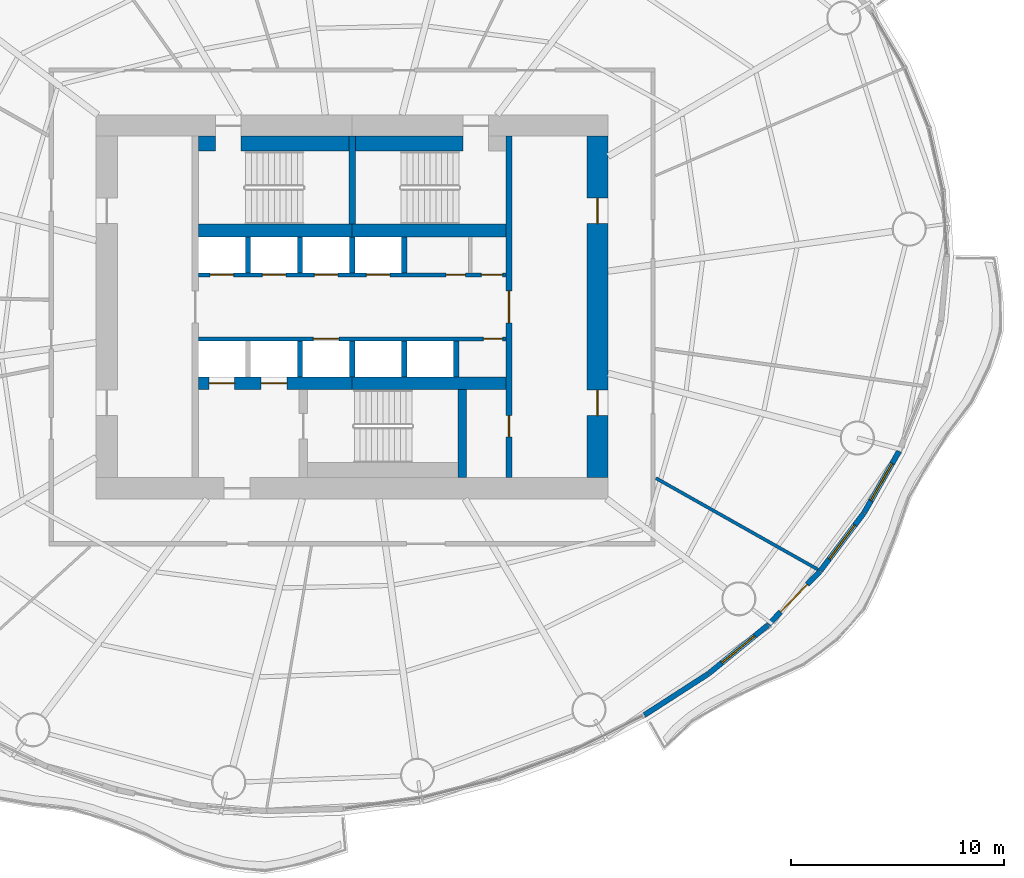
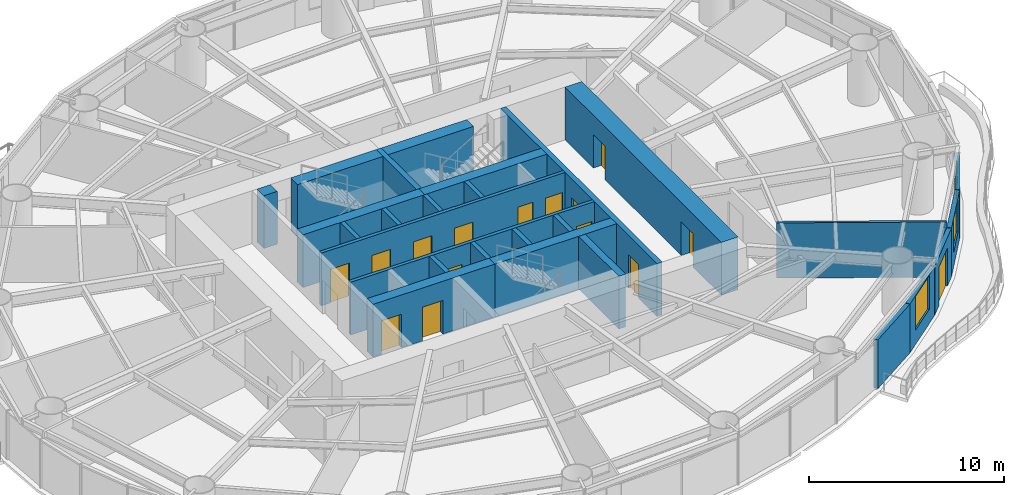
# One storey, part 9 of 16: 27 walls, 15 doors, 3 windows, 18 openings.
"""IFC4 building model written with IfcOpenShell, lengths in metres."""

from ifc_helpers import new_model, si_unit, direction, frame, frame_2d, origin, place, context, subcontext, project, spatial, rectangle, extrude, material, layer, layer_set, type_object, element, fill, save


model = new_model("IFC4")

# Units and contexts
model_context = context("Model", 3, precision=1e-05, world=origin(), true_north=direction((0.0, 1.0)))
body_context = subcontext(model_context, "Body", "Model", "MODEL_VIEW")
ifc_project = project(units=[si_unit("LENGTHUNIT", "METRE"), si_unit("AREAUNIT", "SQUARE_METRE"), si_unit("VOLUMEUNIT", "CUBIC_METRE"), si_unit("PLANEANGLEUNIT", "RADIAN"), si_unit("MASSUNIT", "GRAM", prefix="KILO")], contexts=[model_context])

# Site, building, storey
site_placement = place(None, origin())
site = spatial("IfcSite", under=ifc_project, at=site_placement, CompositionType="ELEMENT")
building_placement = place(site_placement, origin())
building = spatial("IfcBuilding", under=site, at=building_placement, Name="Vermilion Reach Broadcast Tower", CompositionType="ELEMENT")
storey_placement = place(building_placement, frame((0.0, 0.0, 103.0)))
storey = spatial("IfcBuildingStorey", under=building, at=storey_placement, Name="L23", CompositionType="ELEMENT", Elevation=103.0)

# Wall, openings, doors
ifc_material_1 = material(Name="Concrete C70", Category="concrete")
ifc_layer_1 = layer(ifc_material_1, 0.300048828125)
ifc_layer_set_1 = layer_set([ifc_layer_1], Name="Core inner wall 300 mm Concrete C70")
wall_type_1 = type_object("IfcWallType", Name="Core inner wall 300 mm Concrete C70", PredefinedType="SHEAR", material=ifc_layer_set_1)
wall_1_placement = place(storey_placement, frame((1.35009765625, -8.0, 0.0), z_axis=(0.0, 0.0, 1.0), x_axis=(0.0, 1.0, 0.0)))
wall_1 = element("IfcWall", 1, at=wall_1_placement, inside=storey, type_object=wall_type_1, Name="L23 core wall ewE", PredefinedType="SHEAR", context=body_context, shape_type="SweptSolid", body=[
    extrude(rectangle(XDim=16.0, YDim=0.300048828125, at=frame_2d((8.0, 0.0))), origin(), (0.0, 0.0, 1.0), 3.300048828125),
])
opening_1_placement = place(wall_1_placement, frame((1.909912109375, 0.0, 0.0)))
opening_1 = element("IfcOpeningElement", 2, at=opening_1_placement, cuts=wall_1, Name="Opening D05", PredefinedType="OPENING", context=body_context, shape_type="SweptSolid", body=[
    extrude(rectangle(XDim=1.0, YDim=2.10009765625, at=frame_2d((0.5, 1.050048828125))), frame((0.0, 0.159912109375, 0.0), z_axis=(0.0, -1.0, 0.0), x_axis=(1.0, 0.0, 0.0)), (0.0, 0.0, 1.0), 0.320068359375),
])
opening_2_placement = place(wall_1_placement, frame((7.25, 0.0, 0.0)))
opening_2 = element("IfcOpeningElement", 3, at=opening_2_placement, cuts=wall_1, Name="Opening D04", PredefinedType="OPENING", context=body_context, shape_type="SweptSolid", body=[
    extrude(rectangle(XDim=1.5, YDim=2.10009765625, at=frame_2d((0.75, 1.050048828125))), frame((0.0, 0.159912109375, 0.0), z_axis=(0.0, -1.0, 0.0), x_axis=(1.0, 0.0, 0.0)), (0.0, 0.0, 1.0), 0.320068359375),
])
ifc_material_2 = material(Name="Painted steel fire door", Category="steel")
door_type_1 = type_object("IfcDoorType", Name="Lift lobby door 1500 x 2100", OperationType="DOUBLE_DOOR_SINGLE_SWING", PredefinedType="NOTDEFINED", material=ifc_material_2)
door_1_placement = place(opening_2_placement, origin())
door_1 = element("IfcDoor", 4, at=door_1_placement, inside=storey, type_object=door_type_1, Name="L23 band door BE", OperationType="DOUBLE_DOOR_SINGLE_SWING", OverallHeight=2.10009765625, OverallWidth=1.5, PredefinedType="NOTDEFINED", context=body_context, shape_type="SweptSolid", body=[
    extrude(rectangle(XDim=1.5, YDim=2.10009765625, at=frame_2d((0.75, 1.050048828125))), frame((0.0, 0.02490234375, 0.0), z_axis=(0.0, -1.0, 0.0), x_axis=(1.0, 0.0, 0.0)), (0.0, 0.0, 1.0), 0.050048828125),
])
fill(opening_2, door_1)
ifc_material_3 = material(Name="Timber door", Category="wood")
door_type_2 = type_object("IfcDoorType", Name="Room door 1000 x 2100", OperationType="NOTDEFINED", PredefinedType="NOTDEFINED", material=ifc_material_3)
door_2_placement = place(opening_1_placement, origin())
door_2 = element("IfcDoor", 5, at=door_2_placement, inside=storey, type_object=door_type_2, Name="L23 door SER", OperationType="SINGLE_SWING_LEFT", OverallHeight=2.10009765625, OverallWidth=1.0, PredefinedType="NOTDEFINED", context=body_context, shape_type="SweptSolid", body=[
    extrude(rectangle(XDim=1.0, YDim=2.10009765625, at=frame_2d((0.5, 1.050048828125))), frame((0.0, 0.02490234375, 0.0), z_axis=(0.0, -1.0, 0.0), x_axis=(1.0, 0.0, 0.0)), (0.0, 0.0, 1.0), 0.050048828125),
])
fill(opening_1, door_2)

# Walls
wall_2_placement = place(storey_placement, frame((-6.0, 3.8798828125, 0.0), z_axis=(0.0, 0.0, 1.0), x_axis=(0.0, 1.0, 0.0)))
element("IfcWall", 6, at=wall_2_placement, inside=storey, type_object=wall_type_1, Name="L23 core wall wc", PredefinedType="SHEAR", context=body_context, shape_type="SweptSolid", body=[
    extrude(rectangle(XDim=4.1201171875, YDim=0.300048828125, at=frame_2d((2.06005859375, 0.0))), origin(), (0.0, 0.0, 1.0), 3.300048828125),
])
ifc_material_4 = material(Name="Concrete C70", Category="concrete")
ifc_layer_2 = layer(ifc_material_4, 0.39990234375)
ifc_layer_set_2 = layer_set([ifc_layer_2], Name="Core inner wall 400 mm Concrete C70")
wall_type_2 = type_object("IfcWallType", Name="Core inner wall 400 mm Concrete C70", PredefinedType="SHEAR", material=ifc_layer_set_2)
wall_3_placement = place(storey_placement, frame((-0.85009765625, -3.8798828125, 0.0), z_axis=(0.0, 0.0, 1.0), x_axis=(0.0, -1.0, 0.0)))
element("IfcWall", 7, at=wall_3_placement, inside=storey, type_object=wall_type_2, Name="L23 core wall wb", PredefinedType="SHEAR", context=body_context, shape_type="SweptSolid", body=[
    extrude(rectangle(XDim=4.1201171875, YDim=0.39990234375, at=frame_2d((2.06005859375, 0.0))), origin(), (0.0, 0.0, 1.0), 3.300048828125),
])
ifc_material_5 = material(Name="Concrete C70", Category="concrete")
ifc_layer_3 = layer(ifc_material_5, 0.60009765625)
ifc_layer_set_3 = layer_set([ifc_layer_3], Name="Core inner wall 600 mm Concrete C70")
wall_type_3 = type_object("IfcWallType", Name="Core inner wall 600 mm Concrete C70", PredefinedType="SHEAR", material=ifc_layer_set_3)
for number, where, z_axis, x_axis, name in (
    (8, (-13.199951171875, 3.580078125, 0.0), (0.0, 0.0, 1.0), (1.0, 0.0, 0.0), "L23 core wall winW"),
    (9, (-6.0, 3.580078125, 0.0), (0.0, 0.0, 1.0), (1.0, 0.0, 0.0), "L23 core wall winE"),
):
    element("IfcWall", number, at=place(storey_placement, frame(where, z_axis=z_axis, x_axis=x_axis)), inside=storey, type_object=wall_type_3, Name=name, PredefinedType="SHEAR", context=body_context, shape_type="SweptSolid", body=[
        extrude(rectangle(XDim=7.199951171875, YDim=0.60009765625, at=frame_2d((3.60009765625, 0.0))), origin(), (0.0, 0.0, 1.0), 3.300048828125),
    ])

# Wall, openings, doors
wall_4_placement = place(storey_placement, frame((-13.199951171875, -3.580078125, 0.0), z_axis=(0.0, 0.0, 1.0), x_axis=(1.0, 0.0, 0.0)))
wall_4 = element("IfcWall", 10, at=wall_4_placement, inside=storey, type_object=wall_type_3, Name="L23 core wall wisW", PredefinedType="SHEAR", context=body_context, shape_type="SweptSolid", body=[
    extrude(rectangle(XDim=7.199951171875, YDim=0.60009765625, at=frame_2d((3.60009765625, 0.0))), origin(), (0.0, 0.0, 1.0), 3.300048828125),
])
opening_3_placement = place(wall_4_placement, frame((0.495849609375, 0.0, 0.0)))
opening_3 = element("IfcOpeningElement", 11, at=opening_3_placement, cuts=wall_4, Name="Opening LD1", PredefinedType="OPENING", context=body_context, shape_type="SweptSolid", body=[
    extrude(rectangle(XDim=1.199951171875, YDim=2.10009765625, at=frame_2d((0.60009765625, 1.050048828125))), frame((0.0, 0.31005859375, 0.0), z_axis=(0.0, -1.0, 0.0), x_axis=(1.0, 0.0, 0.0)), (0.0, 0.0, 1.0), 0.6201171875),
])
opening_4_placement = place(wall_4_placement, frame((2.9375, 0.0, 0.0)))
opening_4 = element("IfcOpeningElement", 12, at=opening_4_placement, cuts=wall_4, Name="Opening LD1", PredefinedType="OPENING", context=body_context, shape_type="SweptSolid", body=[
    extrude(rectangle(XDim=1.199951171875, YDim=2.10009765625, at=frame_2d((0.60009765625, 1.050048828125))), frame((0.0, 0.31005859375, 0.0), z_axis=(0.0, -1.0, 0.0), x_axis=(1.0, 0.0, 0.0)), (0.0, 0.0, 1.0), 0.6201171875),
])
ifc_material_6 = material(Name="Stainless steel", Category="steel")
door_type_3 = type_object("IfcDoorType", Name="Landing door 1200 x 2100", OperationType="DOUBLE_DOOR_SLIDING", PredefinedType="NOTDEFINED", material=ifc_material_6)
door_3_placement = place(opening_3_placement, origin())
door_3 = element("IfcDoor", 13, at=door_3_placement, inside=storey, type_object=door_type_3, Name="L23 landing door FF1", OperationType="DOUBLE_DOOR_SLIDING", OverallHeight=2.10009765625, OverallWidth=1.199951171875, PredefinedType="NOTDEFINED", context=body_context, shape_type="SweptSolid", body=[
    extrude(rectangle(XDim=1.199951171875, YDim=2.10009765625, at=frame_2d((0.60009765625, 1.050048828125))), frame((0.0, 0.02490234375, 0.0), z_axis=(0.0, -1.0, 0.0), x_axis=(1.0, 0.0, 0.0)), (0.0, 0.0, 1.0), 0.050048828125),
])
fill(opening_3, door_3)
door_4_placement = place(opening_4_placement, origin())
door_4 = element("IfcDoor", 14, at=door_4_placement, inside=storey, type_object=door_type_3, Name="L23 landing door FF2", OperationType="DOUBLE_DOOR_SLIDING", OverallHeight=2.10009765625, OverallWidth=1.199951171875, PredefinedType="NOTDEFINED", context=body_context, shape_type="SweptSolid", body=[
    extrude(rectangle(XDim=1.199951171875, YDim=2.10009765625, at=frame_2d((0.60009765625, 1.050048828125))), frame((0.0, 0.02490234375, 0.0), z_axis=(0.0, -1.0, 0.0), x_axis=(1.0, 0.0, 0.0)), (0.0, 0.0, 1.0), 0.050048828125),
])
fill(opening_4, door_4)

# Wall
wall_5_placement = place(storey_placement, frame((-6.0, -3.580078125, 0.0), z_axis=(0.0, 0.0, 1.0), x_axis=(1.0, 0.0, 0.0)))
element("IfcWall", 15, at=wall_5_placement, inside=storey, type_object=wall_type_3, Name="L23 core wall wisE", PredefinedType="SHEAR", context=body_context, shape_type="SweptSolid", body=[
    extrude(rectangle(XDim=7.199951171875, YDim=0.60009765625, at=frame_2d((3.60009765625, 0.0))), origin(), (0.0, 0.0, 1.0), 3.300048828125),
])

# Wall, openings, doors
ifc_material_7 = material(Name="Concrete C70", Category="concrete")
ifc_layer_4 = layer(ifc_material_7, 1.0)
ifc_layer_set_4 = layer_set([ifc_layer_4], Name="Core outer wall 1000 mm Concrete C70")
wall_type_4 = type_object("IfcWallType", Name="Core outer wall 1000 mm Concrete C70", PredefinedType="SHEAR", material=ifc_layer_set_4)
wall_6_placement = place(storey_placement, frame((5.5, -8.0, 0.0), z_axis=(0.0, 0.0, 1.0), x_axis=(0.0, 1.0, 0.0)))
wall_6 = element("IfcWall", 16, at=wall_6_placement, inside=storey, type_object=wall_type_4, Name="L23 core wall oe", PredefinedType="SHEAR", context=body_context, shape_type="SweptSolid", body=[
    extrude(rectangle(XDim=16.0, YDim=1.0, at=frame_2d((8.0, 0.0))), origin(), (0.0, 0.0, 1.0), 3.300048828125),
])
opening_5_placement = place(wall_6_placement, frame((2.89990234375, 0.0, 0.0)))
opening_5 = element("IfcOpeningElement", 17, at=opening_5_placement, cuts=wall_6, Name="Opening D03", PredefinedType="OPENING", context=body_context, shape_type="SweptSolid", body=[
    extrude(rectangle(XDim=1.199951171875, YDim=2.10009765625, at=frame_2d((0.60009765625, 1.050048828125))), frame((0.0, 0.510009765625, 0.0), z_axis=(0.0, -1.0, 0.0), x_axis=(1.0, 0.0, 0.0)), (0.0, 0.0, 1.0), 1.02001953125),
])
opening_6_placement = place(wall_6_placement, frame((11.89990234375, 0.0, 0.0)))
opening_6 = element("IfcOpeningElement", 18, at=opening_6_placement, cuts=wall_6, Name="Opening D03", PredefinedType="OPENING", context=body_context, shape_type="SweptSolid", body=[
    extrude(rectangle(XDim=1.199951171875, YDim=2.10009765625, at=frame_2d((0.60009765625, 1.050048828125))), frame((0.0, 0.510009765625, 0.0), z_axis=(0.0, -1.0, 0.0), x_axis=(1.0, 0.0, 0.0)), (0.0, 0.0, 1.0), 1.02001953125),
])
ifc_material_8 = material(Name="Painted steel fire door", Category="steel")
door_type_4 = type_object("IfcDoorType", Name="Core lobby door 1200 x 2100", OperationType="DOUBLE_DOOR_SINGLE_SWING", PredefinedType="NOTDEFINED", material=ifc_material_8)
door_5_placement = place(opening_5_placement, origin())
door_5 = element("IfcDoor", 19, at=door_5_placement, inside=storey, type_object=door_type_4, Name="L23 slot door E0", OperationType="DOUBLE_DOOR_SINGLE_SWING", OverallHeight=2.10009765625, OverallWidth=1.199951171875, PredefinedType="NOTDEFINED", context=body_context, shape_type="SweptSolid", body=[
    extrude(rectangle(XDim=1.199951171875, YDim=2.10009765625, at=frame_2d((0.60009765625, 1.050048828125))), frame((0.0, 0.02490234375, 0.0), z_axis=(0.0, -1.0, 0.0), x_axis=(1.0, 0.0, 0.0)), (0.0, 0.0, 1.0), 0.050048828125),
])
fill(opening_5, door_5)
door_6_placement = place(opening_6_placement, origin())
door_6 = element("IfcDoor", 20, at=door_6_placement, inside=storey, type_object=door_type_4, Name="L23 slot door E1", OperationType="DOUBLE_DOOR_SINGLE_SWING", OverallHeight=2.10009765625, OverallWidth=1.199951171875, PredefinedType="NOTDEFINED", context=body_context, shape_type="SweptSolid", body=[
    extrude(rectangle(XDim=1.199951171875, YDim=2.10009765625, at=frame_2d((0.60009765625, 1.050048828125))), frame((0.0, 0.02490234375, 0.0), z_axis=(0.0, -1.0, 0.0), x_axis=(1.0, 0.0, 0.0)), (0.0, 0.0, 1.0), 0.050048828125),
])
fill(opening_6, door_6)

ifc_material_9 = material(Name="Concrete C50", Category="concrete")
ifc_layer_5 = layer(ifc_material_9, 0.199951171875)
ifc_layer_set_5 = layer_set([ifc_layer_5], Name="Core shaft wall 200 mm Concrete C50")
wall_type_5 = type_object("IfcWallType", Name="Core shaft wall 200 mm Concrete C50", PredefinedType="SHEAR", material=ifc_layer_set_5)
wall_7_placement = place(storey_placement, frame((-13.199951171875, 1.5, 0.0), z_axis=(0.0, 0.0, 1.0), x_axis=(1.0, 0.0, 0.0)))
wall_7 = element("IfcWall", 21, at=wall_7_placement, inside=storey, type_object=wall_type_5, Name="L23 core wall fn", PredefinedType="SHEAR", context=body_context, shape_type="SweptSolid", body=[
    extrude(rectangle(XDim=14.39990234375, YDim=0.199951171875, at=frame_2d((7.199951171875, 0.0))), origin(), (0.0, 0.0, 1.0), 3.300048828125),
])
opening_7_placement = place(wall_7_placement, frame((0.5458984375, 0.0, 0.0)))
opening_7 = element("IfcOpeningElement", 22, at=opening_7_placement, cuts=wall_7, Name="Opening LD2", PredefinedType="OPENING", context=body_context, shape_type="SweptSolid", body=[
    extrude(rectangle(XDim=1.10009765625, YDim=2.10009765625, at=frame_2d((0.550048828125, 1.050048828125))), frame((0.0, 0.10986328125, 0.0), z_axis=(0.0, -1.0, 0.0), x_axis=(1.0, 0.0, 0.0)), (0.0, 0.0, 1.0), 0.219970703125),
])
opening_8_placement = place(wall_7_placement, frame((2.987548828125, 0.0, 0.0)))
opening_8 = element("IfcOpeningElement", 23, at=opening_8_placement, cuts=wall_7, Name="Opening LD2", PredefinedType="OPENING", context=body_context, shape_type="SweptSolid", body=[
    extrude(rectangle(XDim=1.10009765625, YDim=2.10009765625, at=frame_2d((0.550048828125, 1.050048828125))), frame((0.0, 0.10986328125, 0.0), z_axis=(0.0, -1.0, 0.0), x_axis=(1.0, 0.0, 0.0)), (0.0, 0.0, 1.0), 0.219970703125),
])
opening_9_placement = place(wall_7_placement, frame((5.42919921875, 0.0, 0.0)))
opening_9 = element("IfcOpeningElement", 24, at=opening_9_placement, cuts=wall_7, Name="Opening LD2", PredefinedType="OPENING", context=body_context, shape_type="SweptSolid", body=[
    extrude(rectangle(XDim=1.10009765625, YDim=2.10009765625, at=frame_2d((0.550048828125, 1.050048828125))), frame((0.0, 0.10986328125, 0.0), z_axis=(0.0, -1.0, 0.0), x_axis=(1.0, 0.0, 0.0)), (0.0, 0.0, 1.0), 0.219970703125),
])
opening_10_placement = place(wall_7_placement, frame((7.870849609375, 0.0, 0.0)))
opening_10 = element("IfcOpeningElement", 25, at=opening_10_placement, cuts=wall_7, Name="Opening LD2", PredefinedType="OPENING", context=body_context, shape_type="SweptSolid", body=[
    extrude(rectangle(XDim=1.10009765625, YDim=2.10009765625, at=frame_2d((0.550048828125, 1.050048828125))), frame((0.0, 0.10986328125, 0.0), z_axis=(0.0, -1.0, 0.0), x_axis=(1.0, 0.0, 0.0)), (0.0, 0.0, 1.0), 0.219970703125),
])
opening_11_placement = place(wall_7_placement, frame((11.60693359375, 0.0, 0.0)))
opening_11 = element("IfcOpeningElement", 26, at=opening_11_placement, cuts=wall_7, Name="Opening D06", PredefinedType="OPENING", context=body_context, shape_type="SweptSolid", body=[
    extrude(rectangle(XDim=0.89990234375, YDim=2.10009765625, at=frame_2d((0.449951171875, 1.050048828125))), frame((0.0, 0.10986328125, 0.0), z_axis=(0.0, -1.0, 0.0), x_axis=(1.0, 0.0, 0.0)), (0.0, 0.0, 1.0), 0.219970703125),
])
opening_12_placement = place(wall_7_placement, frame((13.25, 0.0, 0.0)))
opening_12 = element("IfcOpeningElement", 27, at=opening_12_placement, cuts=wall_7, Name="Opening D07", PredefinedType="OPENING", context=body_context, shape_type="SweptSolid", body=[
    extrude(rectangle(XDim=1.0, YDim=2.10009765625, at=frame_2d((0.5, 1.050048828125))), frame((0.0, 0.10986328125, 0.0), z_axis=(0.0, -1.0, 0.0), x_axis=(1.0, 0.0, 0.0)), (0.0, 0.0, 1.0), 0.219970703125),
])
ifc_material_10 = material(Name="Timber door", Category="wood")
door_type_5 = type_object("IfcDoorType", Name="Accessible WC door 1000 x 2100", OperationType="NOTDEFINED", PredefinedType="NOTDEFINED", material=ifc_material_10)
door_7_placement = place(opening_12_placement, origin())
door_7 = element("IfcDoor", 28, at=door_7_placement, inside=storey, type_object=door_type_5, Name="L23 door Accessible WC", OperationType="SINGLE_SWING_RIGHT", OverallHeight=2.10009765625, OverallWidth=1.0, PredefinedType="NOTDEFINED", context=body_context, shape_type="SweptSolid", body=[
    extrude(rectangle(XDim=1.0, YDim=2.10009765625, at=frame_2d((0.5, 1.050048828125))), frame((0.0, 0.02490234375, 0.0), z_axis=(0.0, -1.0, 0.0), x_axis=(1.0, 0.0, 0.0)), (0.0, 0.0, 1.0), 0.050048828125),
])
fill(opening_12, door_7)
ifc_material_11 = material(Name="Stainless steel", Category="steel")
door_type_6 = type_object("IfcDoorType", Name="Landing door 1100 x 2100", OperationType="DOUBLE_DOOR_SLIDING", PredefinedType="NOTDEFINED", material=ifc_material_11)
door_8_placement = place(opening_7_placement, origin())
door_8 = element("IfcDoor", 29, at=door_8_placement, inside=storey, type_object=door_type_6, Name="L23 landing door LR1", OperationType="DOUBLE_DOOR_SLIDING", OverallHeight=2.10009765625, OverallWidth=1.10009765625, PredefinedType="NOTDEFINED", context=body_context, shape_type="SweptSolid", body=[
    extrude(rectangle(XDim=1.10009765625, YDim=2.10009765625, at=frame_2d((0.550048828125, 1.050048828125))), frame((0.0, 0.02490234375, 0.0), z_axis=(0.0, -1.0, 0.0), x_axis=(1.0, 0.0, 0.0)), (0.0, 0.0, 1.0), 0.050048828125),
])
fill(opening_7, door_8)
door_9_placement = place(opening_8_placement, origin())
door_9 = element("IfcDoor", 30, at=door_9_placement, inside=storey, type_object=door_type_6, Name="L23 landing door LR2", OperationType="DOUBLE_DOOR_SLIDING", OverallHeight=2.10009765625, OverallWidth=1.10009765625, PredefinedType="NOTDEFINED", context=body_context, shape_type="SweptSolid", body=[
    extrude(rectangle(XDim=1.10009765625, YDim=2.10009765625, at=frame_2d((0.550048828125, 1.050048828125))), frame((0.0, 0.02490234375, 0.0), z_axis=(0.0, -1.0, 0.0), x_axis=(1.0, 0.0, 0.0)), (0.0, 0.0, 1.0), 0.050048828125),
])
fill(opening_8, door_9)
door_10_placement = place(opening_9_placement, origin())
door_10 = element("IfcDoor", 31, at=door_10_placement, inside=storey, type_object=door_type_6, Name="L23 landing door LR3", OperationType="DOUBLE_DOOR_SLIDING", OverallHeight=2.10009765625, OverallWidth=1.10009765625, PredefinedType="NOTDEFINED", context=body_context, shape_type="SweptSolid", body=[
    extrude(rectangle(XDim=1.10009765625, YDim=2.10009765625, at=frame_2d((0.550048828125, 1.050048828125))), frame((0.0, 0.02490234375, 0.0), z_axis=(0.0, -1.0, 0.0), x_axis=(1.0, 0.0, 0.0)), (0.0, 0.0, 1.0), 0.050048828125),
])
fill(opening_9, door_10)
door_11_placement = place(opening_10_placement, origin())
door_11 = element("IfcDoor", 32, at=door_11_placement, inside=storey, type_object=door_type_6, Name="L23 landing door LR4", OperationType="DOUBLE_DOOR_SLIDING", OverallHeight=2.10009765625, OverallWidth=1.10009765625, PredefinedType="NOTDEFINED", context=body_context, shape_type="SweptSolid", body=[
    extrude(rectangle(XDim=1.10009765625, YDim=2.10009765625, at=frame_2d((0.550048828125, 1.050048828125))), frame((0.0, 0.02490234375, 0.0), z_axis=(0.0, -1.0, 0.0), x_axis=(1.0, 0.0, 0.0)), (0.0, 0.0, 1.0), 0.050048828125),
])
fill(opening_10, door_11)
ifc_material_12 = material(Name="Timber door", Category="wood")
door_type_7 = type_object("IfcDoorType", Name="WC door 900 x 2100", OperationType="NOTDEFINED", PredefinedType="NOTDEFINED", material=ifc_material_12)
door_12_placement = place(opening_11_placement, origin())
door_12 = element("IfcDoor", 33, at=door_12_placement, inside=storey, type_object=door_type_7, Name="L23 door Female WC", OperationType="SINGLE_SWING_RIGHT", OverallHeight=2.10009765625, OverallWidth=0.89990234375, PredefinedType="NOTDEFINED", context=body_context, shape_type="SweptSolid", body=[
    extrude(rectangle(XDim=0.89990234375, YDim=2.10009765625, at=frame_2d((0.449951171875, 1.050048828125))), frame((0.0, 0.02490234375, 0.0), z_axis=(0.0, -1.0, 0.0), x_axis=(1.0, 0.0, 0.0)), (0.0, 0.0, 1.0), 0.050048828125),
])
fill(opening_11, door_12)

wall_8_placement = place(storey_placement, frame((1.199951171875, -1.5, 0.0), z_axis=(0.0, 0.0, 1.0), x_axis=(-1.0, 0.0, 0.0)))
wall_8 = element("IfcWall", 34, at=wall_8_placement, inside=storey, type_object=wall_type_5, Name="L23 core wall fs", PredefinedType="SHEAR", context=body_context, shape_type="SweptSolid", body=[
    extrude(rectangle(XDim=14.39990234375, YDim=0.199951171875, at=frame_2d((7.199951171875, 0.0))), origin(), (0.0, 0.0, 1.0), 3.300048828125),
])
opening_13_placement = place(wall_8_placement, frame((7.82080078125, 0.0, 0.0)))
opening_13 = element("IfcOpeningElement", 35, at=opening_13_placement, cuts=wall_8, Name="Opening LD1", PredefinedType="OPENING", context=body_context, shape_type="SweptSolid", body=[
    extrude(rectangle(XDim=1.199951171875, YDim=2.10009765625, at=frame_2d((0.60009765625, 1.050048828125))), frame((0.0, 0.10986328125, 0.0), z_axis=(0.0, -1.0, 0.0), x_axis=(1.0, 0.0, 0.0)), (0.0, 0.0, 1.0), 0.219970703125),
])
opening_14_placement = place(wall_8_placement, frame((0.14990234375, 0.0, 0.0)))
opening_14 = element("IfcOpeningElement", 36, at=opening_14_placement, cuts=wall_8, Name="Opening D06", PredefinedType="OPENING", context=body_context, shape_type="SweptSolid", body=[
    extrude(rectangle(XDim=0.89990234375, YDim=2.10009765625, at=frame_2d((0.449951171875, 1.050048828125))), frame((0.0, 0.10986328125, 0.0), z_axis=(0.0, -1.0, 0.0), x_axis=(1.0, 0.0, 0.0)), (0.0, 0.0, 1.0), 0.219970703125),
])
door_13_placement = place(opening_13_placement, origin())
door_13 = element("IfcDoor", 37, at=door_13_placement, inside=storey, type_object=door_type_3, Name="L23 landing door SV1", OperationType="DOUBLE_DOOR_SLIDING", OverallHeight=2.10009765625, OverallWidth=1.199951171875, PredefinedType="NOTDEFINED", context=body_context, shape_type="SweptSolid", body=[
    extrude(rectangle(XDim=1.199951171875, YDim=2.10009765625, at=frame_2d((0.60009765625, 1.050048828125))), frame((0.0, 0.02490234375, 0.0), z_axis=(0.0, -1.0, 0.0), x_axis=(1.0, 0.0, 0.0)), (0.0, 0.0, 1.0), 0.050048828125),
])
fill(opening_13, door_13)
door_14_placement = place(opening_14_placement, origin())
door_14 = element("IfcDoor", 38, at=door_14_placement, inside=storey, type_object=door_type_7, Name="L23 door Male WC", OperationType="SINGLE_SWING_LEFT", OverallHeight=2.10009765625, OverallWidth=0.89990234375, PredefinedType="NOTDEFINED", context=body_context, shape_type="SweptSolid", body=[
    extrude(rectangle(XDim=0.89990234375, YDim=2.10009765625, at=frame_2d((0.449951171875, 1.050048828125))), frame((0.0, 0.02490234375, 0.0), z_axis=(0.0, -1.0, 0.0), x_axis=(1.0, 0.0, 0.0)), (0.0, 0.0, 1.0), 0.050048828125),
])
fill(opening_14, door_14)

# Walls
ifc_material_13 = material(Name="Concrete C50", Category="concrete")
ifc_layer_6 = layer(ifc_material_13, 0.25)
ifc_layer_set_6 = layer_set([ifc_layer_6], Name="Core shaft wall 250 mm Concrete C50")
wall_type_6 = type_object("IfcWallType", Name="Core shaft wall 250 mm Concrete C50", PredefinedType="SHEAR", material=ifc_layer_set_6)
for number, where, z_axis, x_axis, name in (
    (39, (-10.88330078125, 1.60009765625, 0.0), (0.0, 0.0, 1.0), (0.0, 1.0, 0.0), "L23 core wall psN0"),
    (40, (-8.441650390625, 1.60009765625, 0.0), (0.0, 0.0, 1.0), (0.0, 1.0, 0.0), "L23 core wall psN1"),
    (41, (-6.0, 1.60009765625, 0.0), (0.0, 0.0, 1.0), (0.0, 1.0, 0.0), "L23 core wall psN2"),
    (42, (-3.558349609375, 1.60009765625, 0.0), (0.0, 0.0, 1.0), (0.0, 1.0, 0.0), "L23 core wall psN3"),
    (43, (-8.441650390625, -1.60009765625, 0.0), (0.0, 0.0, 1.0), (0.0, -1.0, 0.0), "L23 core wall psS1"),
    (44, (-6.0, -1.60009765625, 0.0), (0.0, 0.0, 1.0), (0.0, -1.0, 0.0), "L23 core wall psS2"),
    (45, (-3.558349609375, -1.60009765625, 0.0), (0.0, 0.0, 1.0), (0.0, -1.0, 0.0), "L23 core wall psS3"),
    (46, (-1.11669921875, -1.60009765625, 0.0), (0.0, 0.0, 1.0), (0.0, -1.0, 0.0), "L23 core wall psS4"),
):
    element("IfcWall", number, at=place(storey_placement, frame(where, z_axis=z_axis, x_axis=x_axis)), inside=storey, type_object=wall_type_6, Name=name, PredefinedType="SHEAR", context=body_context, shape_type="SweptSolid", body=[
        extrude(rectangle(XDim=1.679931640625, YDim=0.25, at=frame_2d((0.83984375, 0.0))), origin(), (0.0, 0.0, 1.0), 3.300048828125),
    ])
ifc_material_14 = material(Name="Concrete C70", Category="concrete")
ifc_layer_7 = layer(ifc_material_14, 0.699951171875)
ifc_layer_set_7 = layer_set([ifc_layer_7], Name="Core stair wall 700 mm Concrete C70")
wall_type_7 = type_object("IfcWallType", Name="Core stair wall 700 mm Concrete C70", PredefinedType="SHEAR", material=ifc_layer_set_7)
wall_9_placement = place(storey_placement, frame((-13.199951171875, 7.64990234375, 0.0), z_axis=(0.0, 0.0, 1.0), x_axis=(1.0, 0.0, 0.0)))
element("IfcWall", 47, at=wall_9_placement, inside=storey, type_object=wall_type_7, Name="L23 core wall l1a", PredefinedType="SHEAR", context=body_context, shape_type="SweptSolid", body=[
    extrude(rectangle(XDim=0.800048828125, YDim=0.699951171875, at=frame_2d((0.39990234375, 0.0))), origin(), (0.0, 0.0, 1.0), 3.300048828125),
])
for number, where, z_axis, x_axis, name in (
    (48, (-11.199951171875, 7.64990234375, 0.0), (0.0, 0.0, 1.0), (1.0, 0.0, 0.0), "L23 core wall l1b"),
    (49, (-5.85009765625, 7.64990234375, 0.0), (0.0, 0.0, 1.0), (1.0, 0.0, 0.0), "L23 core wall l2a"),
):
    element("IfcWall", number, at=place(storey_placement, frame(where, z_axis=z_axis, x_axis=x_axis)), inside=storey, type_object=wall_type_7, Name=name, PredefinedType="SHEAR", context=body_context, shape_type="SweptSolid", body=[
        extrude(rectangle(XDim=5.050048828125, YDim=0.699951171875, at=frame_2d((2.52490234375, 0.0))), origin(), (0.0, 0.0, 1.0), 3.300048828125),
    ])
ifc_material_15 = material(Name="Lightweight concrete block, plastered", Category="concrete")
ifc_layer_8 = layer(ifc_material_15, 0.14990234375)
ifc_layer_set_8 = layer_set([ifc_layer_8], Name="Partition 150 lightweight block")
wall_type_8 = type_object("IfcWallType", Name="Partition 150 lightweight block", PredefinedType="PARTITIONING", material=ifc_layer_set_8)
wall_10_placement = place(storey_placement, frame((15.831298828125, -12.3095703125, 0.0), z_axis=(0.0, 0.0, 1.0), x_axis=(-0.871068786754, 0.491161041556, 0.0)))
element("IfcWall", 50, at=wall_10_placement, inside=storey, type_object=wall_type_8, Name="Partition 23.10", PredefinedType="PARTITIONING", context=body_context, shape_type="SweptSolid", body=[
    extrude(rectangle(XDim=8.718505859375, YDim=0.14990234375, at=frame_2d((4.359375, 0.0))), origin(), (0.0, 0.0, 1.0), 3.449951171875),
])
ifc_material_16 = material(Name="Terracotta rainscreen cladding", Category="masonry")
ifc_layer_9 = layer(ifc_material_16, 0.25)
ifc_layer_set_9 = layer_set([ifc_layer_9], Name="Terracotta rainscreen wall 250")
wall_type_9 = type_object("IfcWallType", Name="Terracotta rainscreen wall 250", PredefinedType="SOLIDWALL", material=ifc_layer_set_9)
wall_11_placement = place(storey_placement, frame((7.694091796875, -19.132080078125, 0.0), z_axis=(0.0, 0.0, 1.0), x_axis=(0.840361806694, 0.542025860869, 0.0)))
element("IfcWall", 51, at=wall_11_placement, inside=storey, type_object=wall_type_9, Name="External wall L23 38", PredefinedType="SOLIDWALL", context=body_context, shape_type="SweptSolid", body=[
    extrude(rectangle(XDim=3.57861328125, YDim=0.25, at=frame_2d((1.789306640625, 0.0))), origin(), (0.0, 0.0, 1.0), 3.050048828125),
])

# Wall, opening, window
wall_12_placement = place(storey_placement, frame((10.719482421875, -17.17919921875, 0.0), z_axis=(0.0, 0.0, 1.0), x_axis=(0.774030565645, 0.633148231813, 0.0)))
wall_12 = element("IfcWall", 52, at=wall_12_placement, inside=storey, type_object=wall_type_9, Name="External wall L23 39", PredefinedType="SOLIDWALL", context=body_context, shape_type="SweptSolid", body=[
    extrude(rectangle(XDim=3.56298828125, YDim=0.25, at=frame_2d((1.781494140625, 0.0))), origin(), (0.0, 0.0, 1.0), 3.050048828125),
])
opening_15_placement = place(wall_12_placement, frame((0.781494140625, 0.0, 0.89990234375)))
opening_15 = element("IfcOpeningElement", 53, at=opening_15_placement, cuts=wall_12, Name="Opening W03", PredefinedType="OPENING", context=body_context, shape_type="SweptSolid", body=[
    extrude(rectangle(XDim=2.0, YDim=2.10009765625, at=frame_2d((1.0, 1.050048828125))), frame((0.0, 0.135009765625, 0.0), z_axis=(0.0, -1.0, 0.0), x_axis=(1.0, 0.0, 0.0)), (0.0, 0.0, 1.0), 0.27001953125),
])
ifc_material_17 = material(Name="Low-e laminated clear glass in aluminium frame", Category="aluminium")
window_type = type_object("IfcWindowType", Name="Punched window 2000 x 2100 sill 900", PartitioningType="SINGLE_PANEL", PredefinedType="WINDOW", material=ifc_material_17)
window_1_placement = place(opening_15_placement, origin())
window_1 = element("IfcWindow", 54, at=window_1_placement, inside=storey, type_object=window_type, Name="Window L23 39", OverallHeight=2.10009765625, OverallWidth=2.0, PartitioningType="SINGLE_PANEL", PredefinedType="WINDOW", context=body_context, shape_type="SweptSolid", body=[
    extrude(rectangle(XDim=2.0, YDim=2.10009765625, at=frame_2d((1.0, 1.050048828125))), frame((0.0, 0.030029296875, 0.0), z_axis=(0.0, -1.0, 0.0), x_axis=(1.0, 0.0, 0.0)), (0.0, 0.0, 1.0), 0.06005859375),
])
fill(opening_15, window_1)

# Wall, opening, door
wall_13_placement = place(storey_placement, frame((13.493896484375, -14.907958984375, 0.0), z_axis=(0.0, 0.0, 1.0), x_axis=(0.694896677822, 0.719109593283, 0.0)))
wall_13 = element("IfcWall", 55, at=wall_13_placement, inside=storey, type_object=wall_type_9, Name="External wall L23 40", PredefinedType="SOLIDWALL", context=body_context, shape_type="SweptSolid", body=[
    extrude(rectangle(XDim=3.48876953125, YDim=0.25, at=frame_2d((1.744384765625, 0.0))), origin(), (0.0, 0.0, 1.0), 3.050048828125),
])
opening_16_placement = place(wall_13_placement, frame((0.843994140625, 0.0, 0.0)))
opening_16 = element("IfcOpeningElement", 56, at=opening_16_placement, cuts=wall_13, Name="Opening D70", PredefinedType="OPENING", context=body_context, shape_type="SweptSolid", body=[
    extrude(rectangle(XDim=1.800048828125, YDim=2.39990234375, at=frame_2d((0.89990234375, 1.199951171875))), frame((0.0, 0.135009765625, 0.0), z_axis=(0.0, -1.0, 0.0), x_axis=(1.0, 0.0, 0.0)), (0.0, 0.0, 1.0), 0.27001953125),
])
ifc_material_18 = material(Name="Low-e laminated clear glass in aluminium frame", Category="aluminium")
door_type_8 = type_object("IfcDoorType", Name="Balcony sliding door 1800 x 2400", OperationType="DOUBLE_DOOR_SLIDING", PredefinedType="DOOR", material=ifc_material_18)
door_15_placement = place(opening_16_placement, origin())
door_15 = element("IfcDoor", 57, at=door_15_placement, inside=storey, type_object=door_type_8, Name="Balcony door L23 run 10", OperationType="DOUBLE_DOOR_SLIDING", OverallHeight=2.39990234375, OverallWidth=1.800048828125, PredefinedType="DOOR", context=body_context, shape_type="SweptSolid", body=[
    extrude(rectangle(XDim=1.800048828125, YDim=2.39990234375, at=frame_2d((0.89990234375, 1.199951171875))), frame((0.0, 0.02490234375, 0.0), z_axis=(0.0, -1.0, 0.0), x_axis=(1.0, 0.0, 0.0)), (0.0, 0.0, 1.0), 0.050048828125),
])
fill(opening_16, door_15)

# Wall, opening, window
wall_14_placement = place(storey_placement, frame((15.93310546875, -12.381591796875, 0.0), z_axis=(0.0, 0.0, 1.0), x_axis=(0.602098174714, 0.798422061322, 0.0)))
wall_14 = element("IfcWall", 58, at=wall_14_placement, inside=storey, type_object=wall_type_9, Name="External wall L23 41", PredefinedType="SOLIDWALL", context=body_context, shape_type="SweptSolid", body=[
    extrude(rectangle(XDim=3.403564453125, YDim=0.25, at=frame_2d((1.70166015625, 0.0))), origin(), (0.0, 0.0, 1.0), 3.050048828125),
])
opening_17_placement = place(wall_14_placement, frame((0.70166015625, 0.0, 0.89990234375)))
opening_17 = element("IfcOpeningElement", 59, at=opening_17_placement, cuts=wall_14, Name="Opening W03", PredefinedType="OPENING", context=body_context, shape_type="SweptSolid", body=[
    extrude(rectangle(XDim=2.0, YDim=2.10009765625, at=frame_2d((1.0, 1.050048828125))), frame((0.0, 0.135009765625, 0.0), z_axis=(0.0, -1.0, 0.0), x_axis=(1.0, 0.0, 0.0)), (0.0, 0.0, 1.0), 0.27001953125),
])
window_2_placement = place(opening_17_placement, origin())
window_2 = element("IfcWindow", 60, at=window_2_placement, inside=storey, type_object=window_type, Name="Window L23 41", OverallHeight=2.10009765625, OverallWidth=2.0, PartitioningType="SINGLE_PANEL", PredefinedType="WINDOW", context=body_context, shape_type="SweptSolid", body=[
    extrude(rectangle(XDim=2.0, YDim=2.10009765625, at=frame_2d((1.0, 1.050048828125))), frame((0.0, 0.030029296875, 0.0), z_axis=(0.0, -1.0, 0.0), x_axis=(1.0, 0.0, 0.0)), (0.0, 0.0, 1.0), 0.06005859375),
])
fill(opening_17, window_2)

wall_15_placement = place(storey_placement, frame((17.99560546875, -9.64404296875, 0.0), z_axis=(0.0, 0.0, 1.0), x_axis=(0.494876492028, 0.868963323529, 0.0)))
wall_15 = element("IfcWall", 61, at=wall_15_placement, inside=storey, type_object=wall_type_9, Name="External wall L23 42", PredefinedType="SOLIDWALL", context=body_context, shape_type="SweptSolid", body=[
    extrude(rectangle(XDim=3.312744140625, YDim=0.25, at=frame_2d((1.65625, 0.0))), origin(), (0.0, 0.0, 1.0), 3.050048828125),
])
opening_18_placement = place(wall_15_placement, frame((0.656494140625, 0.0, 0.89990234375)))
opening_18 = element("IfcOpeningElement", 62, at=opening_18_placement, cuts=wall_15, Name="Opening W03", PredefinedType="OPENING", context=body_context, shape_type="SweptSolid", body=[
    extrude(rectangle(XDim=2.0, YDim=2.10009765625, at=frame_2d((1.0, 1.050048828125))), frame((0.0, 0.135009765625, 0.0), z_axis=(0.0, -1.0, 0.0), x_axis=(1.0, 0.0, 0.0)), (0.0, 0.0, 1.0), 0.27001953125),
])
window_3_placement = place(opening_18_placement, origin())
window_3 = element("IfcWindow", 63, at=window_3_placement, inside=storey, type_object=window_type, Name="Window L23 42", OverallHeight=2.10009765625, OverallWidth=2.0, PartitioningType="SINGLE_PANEL", PredefinedType="WINDOW", context=body_context, shape_type="SweptSolid", body=[
    extrude(rectangle(XDim=2.0, YDim=2.10009765625, at=frame_2d((1.0, 1.050048828125))), frame((0.0, 0.030029296875, 0.0), z_axis=(0.0, -1.0, 0.0), x_axis=(1.0, 0.0, 0.0)), (0.0, 0.0, 1.0), 0.06005859375),
])
fill(opening_18, window_3)

save(model, "model.ifc")
